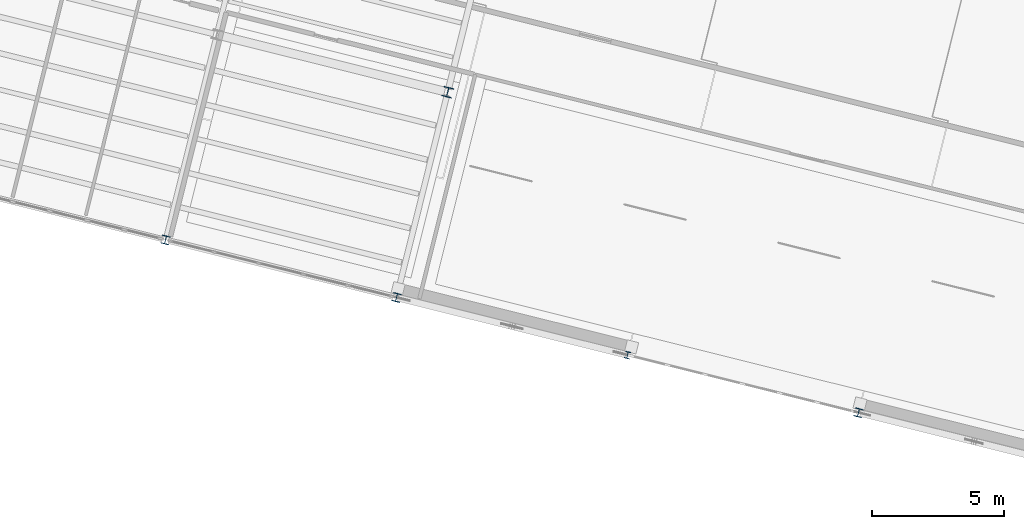
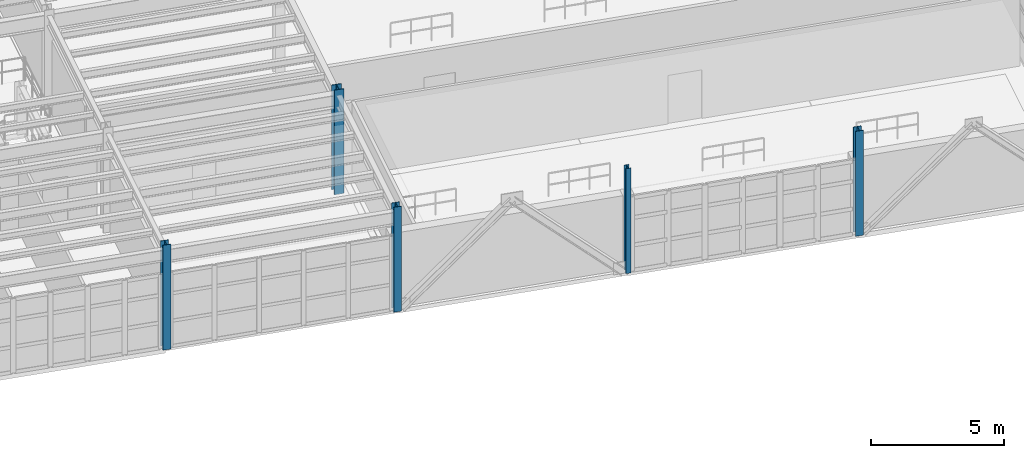
# One storey, part 3 of 59: 5 columns.
"""IFC4 building model written with IfcOpenShell, lengths in metres."""

from ifc_helpers import new_model, si_unit, direction, frame, origin, origin_2d, place, context, subcontext, project, spatial, i_section, extrude, material, material_profile, profile_set, type_object, element, save


model = new_model("IFC4")

# Units and contexts
model_context = context("Model", 3, precision=1e-05, world=origin(), true_north=direction((0.0, 1.0)))
body_context = subcontext(model_context, "Body", "Model", "MODEL_VIEW")
ifc_project = project(units=[si_unit("LENGTHUNIT", "METRE"), si_unit("AREAUNIT", "SQUARE_METRE"), si_unit("VOLUMEUNIT", "CUBIC_METRE"), si_unit("PLANEANGLEUNIT", "RADIAN"), si_unit("MASSUNIT", "GRAM", prefix="KILO")], contexts=[model_context])

# Site, building, storey
site_placement = place(None, origin())
site = spatial("IfcSite", under=ifc_project, at=site_placement, CompositionType="ELEMENT")
building_placement = place(site_placement, origin())
building = spatial("IfcBuilding", under=site, at=building_placement, Name="Vireo Bluff Cable Station", CompositionType="ELEMENT")
storey_placement = place(building_placement, frame((0.0, 0.0, 14.39990234375)))
storey = spatial("IfcBuildingStorey", under=building, at=storey_placement, Name="L03", CompositionType="ELEMENT", Elevation=14.39990234375)

# Columns
ifc_material = material(Name="Steel ASTM A992 Gr. 50", Category="steel")
ifc_material_profile_1 = material_profile(ifc_material, i_section(OverallWidth=0.373046875, OverallDepth=0.367919921875, WebThickness=0.014892578125, FlangeThickness=0.02392578125, FilletRadius=0.014892578125, at=origin_2d()), Name="W14X120")
ifc_profile_set_1 = profile_set([ifc_material_profile_1], Name="Steel ASTM A992 Gr. 50")
column_type_1 = type_object("IfcColumnType", Name="COL-W14X120", PredefinedType="COLUMN", material=ifc_profile_set_1)
column_1_placement = place(storey_placement, frame((82.13330078125, 39.23046875, 0.0), z_axis=(0.0, 0.0, 1.0), x_axis=(0.970295726276, -0.2419218956, 0.0)))
element("IfcColumn", 1, at=column_1_placement, inside=storey, type_object=column_type_1, Name="V1 L03 column 69", PredefinedType="COLUMN", context=body_context, shape_type="SweptSolid", body=[
    extrude(i_section(OverallWidth=0.373046875, OverallDepth=0.367919921875, WebThickness=0.014892578125, FlangeThickness=0.02392578125, FilletRadius=0.014892578125, at=origin_2d()), origin(), (0.0, 0.0, 1.0), 4.800048828125),
])
ifc_material_profile_2 = material_profile(ifc_material, i_section(OverallWidth=0.306884765625, OverallDepth=0.31494140625, WebThickness=0.011962890625, FlangeThickness=0.018798828125, FilletRadius=0.012939453125, at=origin_2d()), Name="W12X79")
ifc_profile_set_2 = profile_set([ifc_material_profile_2], Name="Steel ASTM A992 Gr. 50")
column_type_2 = type_object("IfcColumnType", Name="ECOL-W12X79", PredefinedType="COLUMN", material=ifc_profile_set_2)
for number, where, z_axis, x_axis, name in (
    (2, (71.46533203125, 33.6455078125, 0.0), (0.0, 0.0, 1.0), (0.970295726276, -0.2419218956, 0.0), "V1 L03 column 44"),
    (3, (80.197998046875, 31.468017578125, 0.0), (0.0, 0.0, 1.0), (0.970295726276, -0.2419218956, 0.0), "V1 L03 column 64"),
    (4, (97.663330078125, 27.113525390625, 0.0), (0.0, 0.0, 1.0), (0.970295726276, -0.2419218956, 0.0), "V1 L03 column 100"),
):
    element("IfcColumn", number, at=place(storey_placement, frame(where, z_axis=z_axis, x_axis=x_axis)), inside=storey, type_object=column_type_2, Name=name, PredefinedType="COLUMN", context=body_context, shape_type="SweptSolid", body=[
        extrude(i_section(OverallWidth=0.306884765625, OverallDepth=0.31494140625, WebThickness=0.011962890625, FlangeThickness=0.018798828125, FilletRadius=0.012939453125, at=origin_2d()), origin(), (0.0, 0.0, 1.0), 4.800048828125),
    ])
ifc_material_profile_3 = material_profile(ifc_material, i_section(OverallWidth=0.2041015625, OverallDepth=0.257080078125, WebThickness=0.0087890625, FlangeThickness=0.015625, FilletRadius=0.009033203125, at=origin_2d()), Name="W10X45")
ifc_profile_set_3 = profile_set([ifc_material_profile_3], Name="Steel ASTM A992 Gr. 50")
column_type_3 = type_object("IfcColumnType", Name="PIL-W10X45", PredefinedType="PILASTER", material=ifc_profile_set_3)
column_2_placement = place(storey_placement, frame((88.9306640625, 29.290771484375, 0.0), z_axis=(0.0, 0.0, 1.0), x_axis=(0.970295726276, -0.2419218956, 0.0)))
element("IfcColumn", 5, at=column_2_placement, inside=storey, type_object=column_type_3, Name="V1 L03 column 84", PredefinedType="PILASTER", context=body_context, shape_type="SweptSolid", body=[
    extrude(i_section(OverallWidth=0.2041015625, OverallDepth=0.257080078125, WebThickness=0.0087890625, FlangeThickness=0.015625, FilletRadius=0.009033203125, at=origin_2d()), origin(), (0.0, 0.0, 1.0), 4.800048828125),
])

save(model, "model.ifc")
